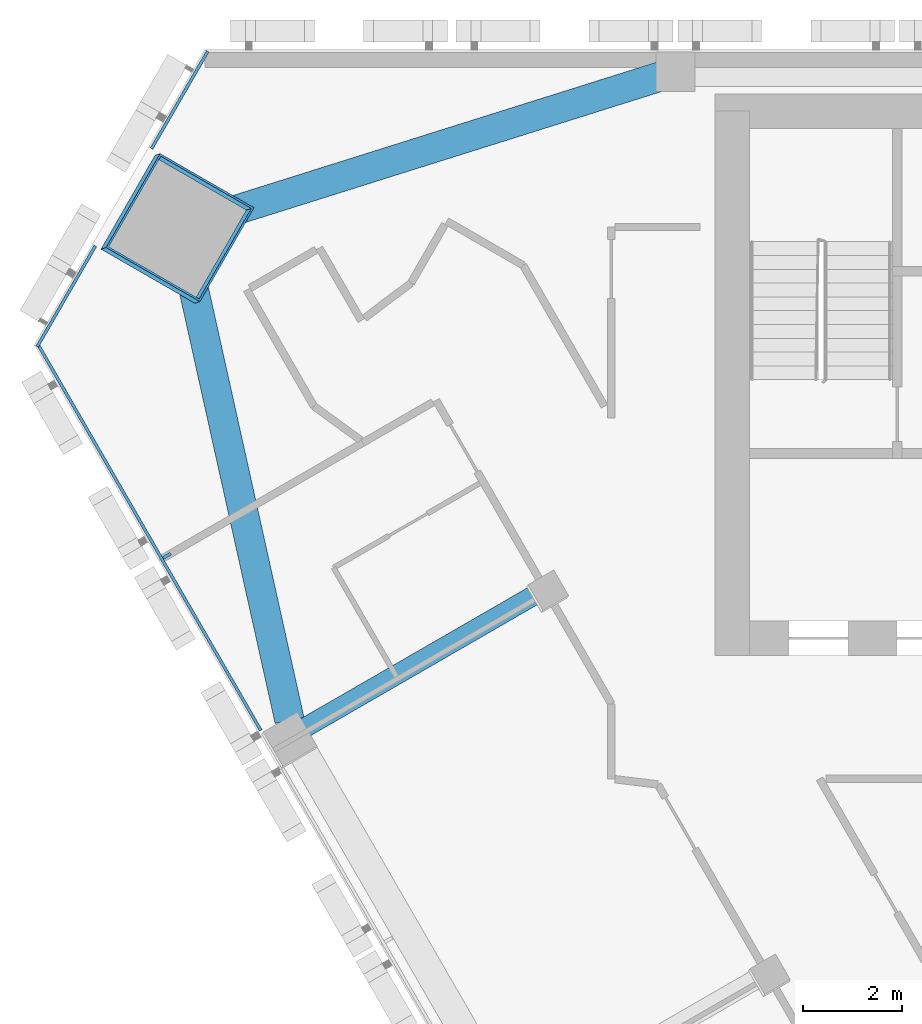
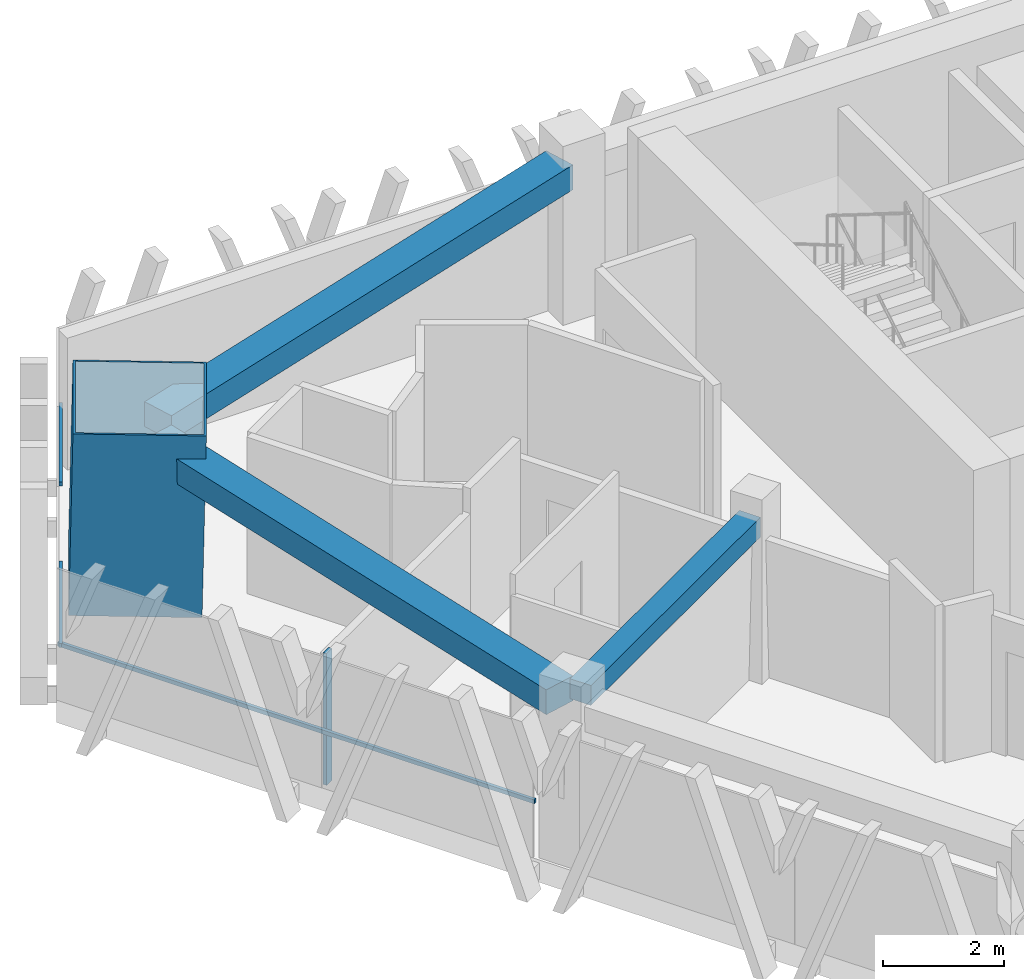
# One storey, part 5 of 15: 5 members, 3 beams, 2 elements without a shape of their own.
"""IFC4 building model written with IfcOpenShell, lengths in metres."""

from ifc_helpers import new_model, si_unit, direction, frame, origin, origin_2d, place, context, subcontext, project, spatial, rectangle, hollow_rectangle, extrude, material, layer, layer_set, material_profile, profile_set, type_object, element, aggregate, save


model = new_model("IFC4")

# Units and contexts
model_context = context("Model", 3, precision=1e-05, world=origin(), true_north=direction((0.0, 1.0)))
body_context = subcontext(model_context, "Body", "Model", "MODEL_VIEW")
ifc_project = project(units=[si_unit("LENGTHUNIT", "METRE"), si_unit("AREAUNIT", "SQUARE_METRE"), si_unit("VOLUMEUNIT", "CUBIC_METRE"), si_unit("PLANEANGLEUNIT", "RADIAN"), si_unit("MASSUNIT", "GRAM", prefix="KILO")], contexts=[model_context])

# Site, building, storey
site_placement = place(None, origin())
site = spatial("IfcSite", under=ifc_project, at=site_placement, CompositionType="ELEMENT")
building_placement = place(site_placement, origin())
building = spatial("IfcBuilding", under=site, at=building_placement, Name="Altiplano Prism Tower", CompositionType="ELEMENT")
storey_placement = place(building_placement, frame((0.0, 0.0, 171.0)))
storey = spatial("IfcBuildingStorey", under=building, at=storey_placement, Name="L44", CompositionType="ELEMENT", Elevation=171.0)

# Curtain wall, member
ifc_material_1 = material(Name="Aluminium and glass", Category="aluminium")
ifc_layer = layer(ifc_material_1, 0.280029296875)
ifc_layer_set = layer_set([ifc_layer], Name="Aluminium and glass")
curtain_wall_type = type_object("IfcCurtainWallType", Name="CW1 typical co-living unitised curtain wall", PredefinedType="NOTDEFINED", material=ifc_layer_set)
curtain_wall_1_placement = place(storey_placement, origin())
curtain_wall_1 = element("IfcCurtainWall", 1, at=curtain_wall_1_placement, inside=storey, type_object=curtain_wall_type, Name="CW1 curtain wall south-west face L44", PredefinedType="NOTDEFINED")
ifc_material_2 = material(Name="Aluminium", Category="aluminium")
ifc_material_profile_1 = material_profile(ifc_material_2, rectangle(XDim=0.179931640625, YDim=0.06494140625, at=origin_2d()), Name="CW1 mullion 65 x 180")
ifc_profile_set_1 = profile_set([ifc_material_profile_1], Name="Aluminium")
member_type_1 = type_object("IfcMemberType", Name="CW1 mullion 65 x 180", PredefinedType="MULLION", material=ifc_profile_set_1)
member_1_placement = place(storey_placement, frame((61.177490234375, 94.725341796875, 0.0), z_axis=(0.0, 0.0, 1.0), x_axis=(0.866025408191, 0.499999992367, 0.0)))
member_1 = element("IfcMember", 2, at=member_1_placement, type_object=member_type_1, Name="CW1 mullion", PredefinedType="MULLION", context=body_context, shape_type="SweptSolid", body=[
    extrude(rectangle(XDim=0.179931640625, YDim=0.06494140625, at=origin_2d()), origin(), (0.0, 0.0, 1.0), 2.64990234375),
])

# Curtain wall, members
curtain_wall_2_placement = place(storey_placement, origin())
curtain_wall_2 = element("IfcCurtainWall", 3, at=curtain_wall_2_placement, inside=storey, type_object=curtain_wall_type, Name="CW1 curtain wall north-west chamfer L44", PredefinedType="NOTDEFINED")
ifc_material_profile_2 = material_profile(ifc_material_2, rectangle(XDim=0.06005859375, YDim=0.080078125, at=origin_2d()), Name="CW1 transom 80 x 60")
ifc_profile_set_2 = profile_set([ifc_material_profile_2], Name="Aluminium")
member_type_2 = type_object("IfcMemberType", Name="CW1 transom 80 x 60", PredefinedType="USERDEFINED", material=ifc_profile_set_2)
member_2_placement = place(storey_placement, frame((62.0078125, 104.965087890625, 1.10009765625), z_axis=(-0.499938683108, -0.866060802215, 0.0), x_axis=(0.866060802215, -0.499938683108, 0.0)))
member_2 = element("IfcMember", 4, at=member_2_placement, type_object=member_type_2, Name="CW1 transom", ObjectType="TRANSOM", PredefinedType="USERDEFINED", context=body_context, shape_type="SweptSolid", body=[
    extrude(rectangle(XDim=0.06005859375, YDim=0.080078125, at=origin_2d()), origin(), (0.0, 0.0, 1.0), 2.280517578125),
])
member_3_placement = place(storey_placement, frame((59.7275390625, 101.015380859375, 1.10009765625), z_axis=(-0.499943285704, -0.866058145322, 0.0), x_axis=(0.866058145322, -0.499943285704, 0.0)))
member_3 = element("IfcMember", 5, at=member_3_placement, type_object=member_type_2, Name="CW1 transom", ObjectType="TRANSOM", PredefinedType="USERDEFINED", context=body_context, shape_type="SweptSolid", body=[
    extrude(rectangle(XDim=0.06005859375, YDim=0.080078125, at=origin_2d()), origin(), (0.0, 0.0, 1.0), 2.360595703125),
])
aggregate(curtain_wall_2, [member_2, member_3])

# Member
member_4_placement = place(storey_placement, frame((58.54736328125, 99.041015625, 1.10009765625), z_axis=(0.499999628393, -0.866025618332, 0.0), x_axis=(0.866025618332, 0.499999628393, 0.0)))
member_4 = element("IfcMember", 6, at=member_4_placement, type_object=member_type_2, Name="CW1 transom", ObjectType="TRANSOM", PredefinedType="USERDEFINED", context=body_context, shape_type="SweptSolid", body=[
    extrude(rectangle(XDim=0.06005859375, YDim=0.080078125, at=origin_2d()), origin(), (0.0, 0.0, 1.0), 9.0732421875),
])

aggregate(curtain_wall_1, [member_1, member_4])

# Beams
ifc_material_3 = material(Name="Concrete C60/75", Category="concrete")
ifc_material_profile_3 = material_profile(ifc_material_3, rectangle(XDim=0.60009765625, YDim=0.5, at=origin_2d()), Name="Edge beam 600x500")
ifc_profile_set_3 = profile_set([ifc_material_profile_3], Name="Concrete C60/75")
beam_type_1 = type_object("IfcBeamType", Name="Edge beam 600x500", PredefinedType="SPANDREL", material=ifc_profile_set_3)
for number, where, z_axis, x_axis, name in (
    (7, (71.21435546875, 104.460205078125, 2.89990234375), (-0.953898304605, -0.300130012613, 0.0), (0.300130012613, -0.953898304605, 0.0), "Edge beam P04-M0 L45"),
    (8, (61.542724609375, 100.947021484375, 2.89990234375), (0.217025499316, -0.976165934996, 0.0), (0.976165934996, 0.217025499316, 0.0), "Edge beam M0-P11 L45"),
):
    element("IfcBeam", number, at=place(storey_placement, frame(where, z_axis=z_axis, x_axis=x_axis)), inside=storey, type_object=beam_type_1, Name=name, PredefinedType="SPANDREL", context=body_context, shape_type="SweptSolid", body=[
        extrude(rectangle(XDim=0.60009765625, YDim=0.5, at=origin_2d()), origin(), (0.0, 0.0, 1.0), 9.79150390625),
    ])

# Member
ifc_material_4 = material(Name="Steel S460", Category="steel")
ifc_material_profile_4 = material_profile(ifc_material_4, hollow_rectangle(XDim=2.199951171875, YDim=2.199951171875, WallThickness=0.0400390625, at=origin_2d()), Name="Mega column tube 2200")
ifc_profile_set_4 = profile_set([ifc_material_profile_4], Name="Steel S460")
member_type_3 = type_object("IfcMemberType", Name="Mega column tube 2200", PredefinedType="POST", material=ifc_profile_set_4)
member_5_placement = place(storey_placement, frame((61.3427734375, 101.35302734375, 0.0), z_axis=(0.028401796786, 0.009286506348, 0.999553449666), x_axis=(-0.866206321778, 0.499287135176, 0.019974102218)))
element("IfcMember", 9, at=member_5_placement, inside=storey, type_object=member_type_3, Name="Mega column tube M0 L44", PredefinedType="POST", context=body_context, shape_type="SweptSolid", body=[
    extrude(hollow_rectangle(XDim=2.199951171875, YDim=2.199951171875, WallThickness=0.0400390625, at=origin_2d()), origin(), (0.0, 0.0, 1.0), 3.601806640625),
])

# Beam
ifc_material_profile_5 = material_profile(ifc_material_3, rectangle(XDim=0.39990234375, YDim=0.39990234375, at=origin_2d()), Name="Tie beam 400x400")
ifc_profile_set_5 = profile_set([ifc_material_profile_5], Name="Concrete C60/75")
beam_type_2 = type_object("IfcBeamType", Name="Tie beam 400x400", PredefinedType="BEAM", material=ifc_profile_set_5)
beam_placement = place(storey_placement, frame((68.81640625, 94.03173828125, 2.949951171875), z_axis=(-0.866030670444, -0.499990877767, 0.0), x_axis=(0.499990877767, -0.866030670444, 0.0)))
element("IfcBeam", 10, at=beam_placement, inside=storey, type_object=beam_type_2, Name="Tie beam I11 L45", PredefinedType="BEAM", context=body_context, shape_type="SweptSolid", body=[
    extrude(rectangle(XDim=0.39990234375, YDim=0.39990234375, at=origin_2d()), origin(), (0.0, 0.0, 1.0), 5.58984375),
])

save(model, "model.ifc")
